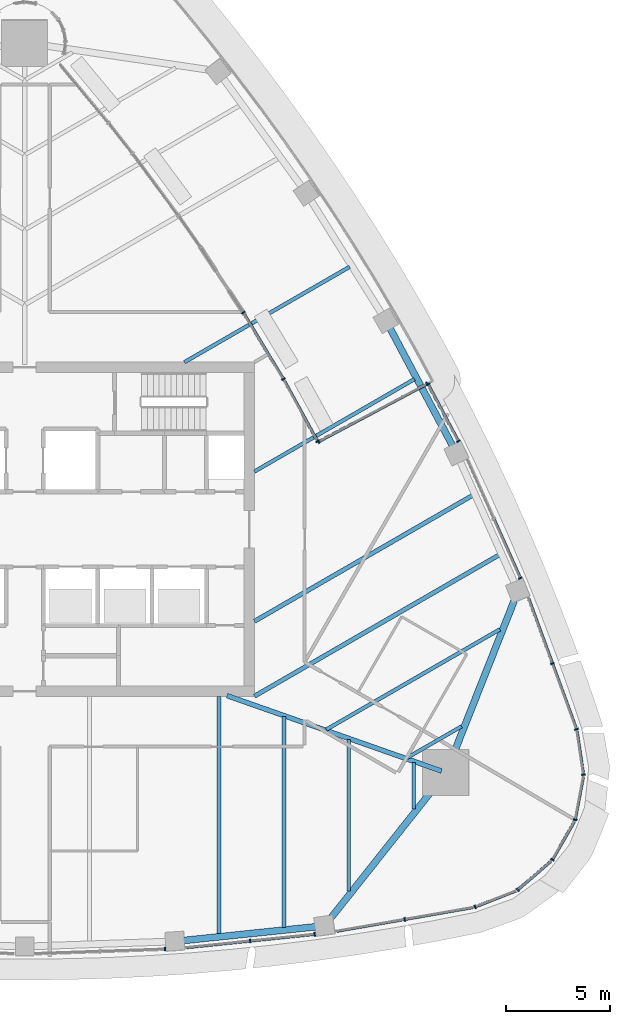
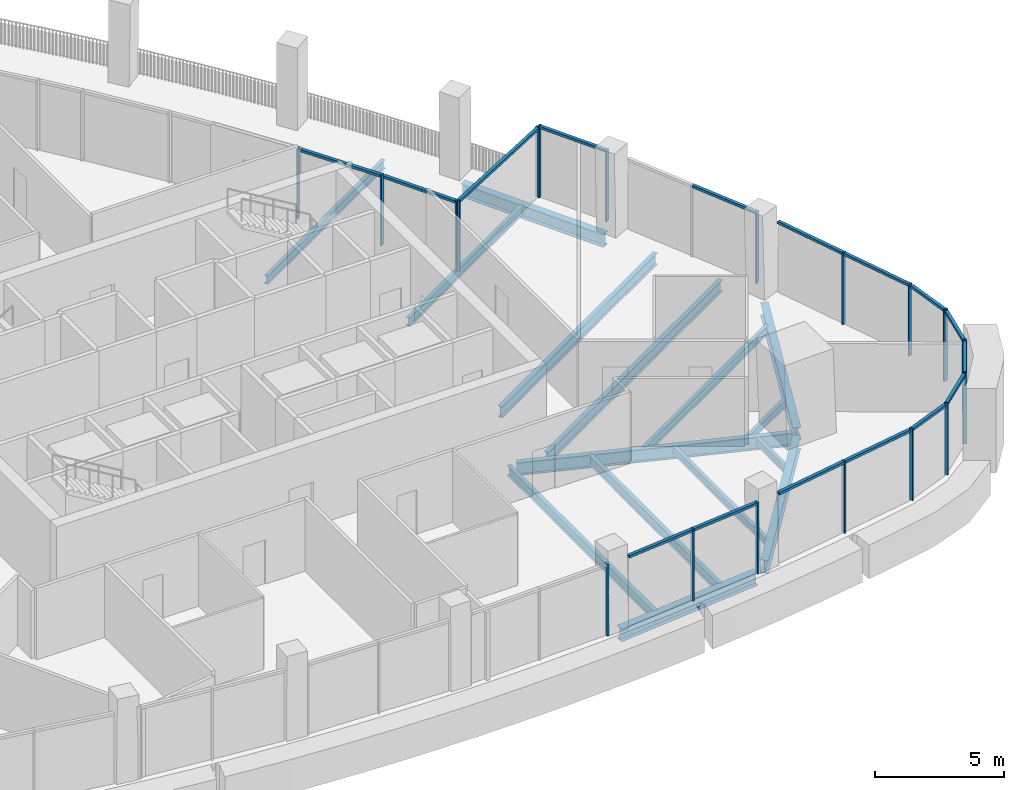
# One storey, part 4 of 18: 35 members, 15 beams, 15 elements without a shape of their own.
"""IFC4 building model written with IfcOpenShell, lengths in metres."""

import ifcopenshell
import ifcopenshell.guid

model = None  # the IFC model being written
_history = None  # IfcOwnerHistory: only IFC2X3 demands one
_inside = {}  # id of a spatial element -> (the spatial element, [elements in it])
_under = {}  # id of a project, library or spatial element -> (it, [spatial elements below it])
_declared = {}  # id of a project -> (the project, [libraries it declares])
_typed = {}  # id of a type object -> (the type object, [elements of that type])
_made_of = {}  # id of a material, layer set ... -> (it, [elements and type objects made of it])


def new_model(schema):
    """Start an empty IFC model of exactly this schema.

    Asked for "IFC4X3", IfcOpenShell would pick the latest addendum, in which some entities
    have other attributes; the version numbers below select the first issue.
    IFC2X3 requires an IfcOwnerHistory on every rooted entity: one is made here for all.
    """
    global model, _history
    if schema == "IFC4X3":
        model = ifcopenshell.file(schema_version=(4, 3, 0, 0))
    else:
        model = ifcopenshell.file(schema=schema)
    _inside.clear()
    _under.clear()
    _declared.clear()
    _typed.clear()
    _made_of.clear()
    _history = None
    if model.schema == "IFC2X3":
        org = make("IfcOrganization", Name="unknown")
        user = make(
            "IfcPersonAndOrganization",
            ThePerson=make("IfcPerson", FamilyName="unknown"),
            TheOrganization=org,
        )
        app = make(
            "IfcApplication",
            ApplicationDeveloper=org,
            Version="unknown",
            ApplicationFullName="unknown",
            ApplicationIdentifier="unknown",
        )
        _history = make(
            "IfcOwnerHistory",
            OwningUser=user,
            OwningApplication=app,
            ChangeAction="ADDED",
            CreationDate=0,
        )
    return model


def make(cls, **values):
    """One entity of the class cls with the attributes given. An attribute that is None is left unset."""
    return model.create_entity(
        cls, **{name: value for name, value in values.items() if value is not None}
    )


def rooted(cls, **values):
    """An entity with a GlobalId (a new one), such as an element, a storey or a relation."""
    return make(cls, GlobalId=ifcopenshell.guid.new(), OwnerHistory=_history, **values)


def si_unit(unit_type, name, prefix=None):
    """IfcSIUnit, for example si_unit("LENGTHUNIT", "METRE", prefix="MILLI")."""
    return make("IfcSIUnit", UnitType=unit_type, Prefix=prefix, Name=name)


def assignment(units):
    """IfcUnitAssignment: the units of a project."""
    return None if units is None else make("IfcUnitAssignment", Units=units)


def point(xyz):
    """IfcCartesianPoint."""
    return None if xyz is None else make("IfcCartesianPoint", Coordinates=xyz)


def direction(xyz):
    """IfcDirection."""
    return None if xyz is None else make("IfcDirection", DirectionRatios=xyz)


def frame(location, z_axis=None, x_axis=None):
    """IfcAxis2Placement3D, a coordinate frame: its origin and axes. An axis left out is left unset."""
    return make(
        "IfcAxis2Placement3D",
        Location=point(location),
        Axis=direction(z_axis),
        RefDirection=direction(x_axis),
    )


def frame_2d(location, x_axis=None):
    """IfcAxis2Placement2D, a coordinate frame in the plane: its origin and x axis."""
    return make(
        "IfcAxis2Placement2D", Location=point(location), RefDirection=direction(x_axis)
    )


def origin():
    """The frame at (0, 0, 0) with its axes left unset."""
    return frame((0.0, 0.0, 0.0))


def origin_2d():
    """The frame at (0, 0) in the plane with its x axis left unset."""
    return frame_2d((0.0, 0.0))


def place(relative_to, where):
    """IfcLocalPlacement: puts the frame where relative to a parent placement (None: the world)."""
    return make(
        "IfcLocalPlacement", PlacementRelTo=relative_to, RelativePlacement=where
    )


def context(
    kind, dimensions, precision=None, world=None, true_north=None, identifier=None
):
    """IfcGeometricRepresentationContext, for example the 3D "Model" context."""
    return make(
        "IfcGeometricRepresentationContext",
        ContextIdentifier=identifier,
        ContextType=kind,
        CoordinateSpaceDimension=dimensions,
        Precision=precision,
        WorldCoordinateSystem=world,
        TrueNorth=true_north,
    )


def subcontext(parent, identifier, kind, view, scale=None):
    """IfcGeometricRepresentationSubContext, for example "Body" below "Model"."""
    return make(
        "IfcGeometricRepresentationSubContext",
        ContextIdentifier=identifier,
        ContextType=kind,
        ParentContext=parent,
        TargetScale=scale,
        TargetView=view,
    )


def project(units=None, contexts=None):
    """IfcProject with its units and contexts."""
    return rooted(
        "IfcProject",
        Name="project",
        RepresentationContexts=contexts,
        UnitsInContext=assignment(units),
    )


def spatial(cls, under=None, at=None, **own):
    """A site, building, storey or space (cls), placed at a placement, below another one or the project."""
    s = rooted(cls, ObjectPlacement=at, **own)
    if under is not None:
        _under.setdefault(under.id(), (under, []))[1].append(s)
    return s


def profile(cls, at=None, kind="AREA", **sizes):
    """A parametric profile (cls). Its sizes go by their IFC names, for example OverallWidth=200.0."""
    return make(cls, ProfileType=kind, Position=at, **sizes)


def rectangle(**sizes):
    """IfcRectangleProfileDef."""
    return profile("IfcRectangleProfileDef", **sizes)


def i_section(**sizes):
    """IfcIShapeProfileDef."""
    return profile("IfcIShapeProfileDef", **sizes)


def extrude(swept, where, along, depth):
    """IfcExtrudedAreaSolid: the profile swept, set in the frame where, extruded along a direction by depth."""
    return make(
        "IfcExtrudedAreaSolid",
        SweptArea=swept,
        Position=where,
        ExtrudedDirection=direction(along),
        Depth=depth,
    )


def shape(context_of_items, identifier, shape_type, items):
    """IfcShapeRepresentation: the items that make up one representation, for example the "Body"."""
    return make(
        "IfcShapeRepresentation",
        ContextOfItems=context_of_items,
        RepresentationIdentifier=identifier,
        RepresentationType=shape_type,
        Items=items,
    )


def material(Name=None, Category=None):
    """IfcMaterial."""
    return make("IfcMaterial", Name=Name, Category=Category)


def layer(
    of_material, thickness, ventilated=None, Name=None, Category=None, Priority=None
):
    """IfcMaterialLayer: one layer of a wall or slab, of a material (None: an air gap)."""
    return make(
        "IfcMaterialLayer",
        Material=of_material,
        LayerThickness=thickness,
        IsVentilated=ventilated,
        Name=Name,
        Category=Category,
        Priority=Priority,
    )


def layer_set(layers, Name=None):
    """IfcMaterialLayerSet."""
    return make("IfcMaterialLayerSet", MaterialLayers=layers, LayerSetName=Name)


def material_profile(
    of_material, cross_section, Name=None, Category=None, Priority=None
):
    """IfcMaterialProfile: a cross section and its material."""
    return make(
        "IfcMaterialProfile",
        Name=Name,
        Material=of_material,
        Profile=cross_section,
        Priority=Priority,
        Category=Category,
    )


def profile_set(profiles, Name=None, composite=None):
    """IfcMaterialProfileSet."""
    return make(
        "IfcMaterialProfileSet",
        Name=Name,
        MaterialProfiles=profiles,
        CompositeProfile=composite,
    )


def made_of(thing, what):
    """Note that an element or type object is made of a material, layer set ...; save() writes the relation."""
    if what is not None:
        _made_of.setdefault(what.id(), (what, []))[1].append(thing)
    return thing


def type_object(cls, material=None, **own):
    """A type object (cls), such as IfcWallType, which elements share."""
    return made_of(rooted(cls, **own), material)


def element(
    cls,
    number,
    at=None,
    inside=None,
    cuts=None,
    type_object=None,
    material=None,
    context=None,
    identifier="Body",
    shape_type=None,
    held_by="IfcProductDefinitionShape",
    body=None,
    shapes=None,
    **own,
):
    """One element of the class cls, such as IfcWall. Its Tag is "e" and its number.

    at: its placement. inside: the storey or other place that contains it. cuts: it is an
    opening in that element (IfcRelVoidsElement). A single representation is given by context,
    identifier, shape_type and body (its items); several are given by shapes. held_by: the class
    of the entity that holds the representations. save() writes the other relations.
    """
    e = rooted(cls, Tag="e%d" % number, ObjectPlacement=at, **own)
    if body is not None:
        shapes = [shape(context, identifier, shape_type, body)]
    if shapes is not None:
        e.Representation = make(held_by, Representations=shapes)
    if inside is not None:
        _inside.setdefault(inside.id(), (inside, []))[1].append(e)
    if cuts is not None:
        rooted(
            "IfcRelVoidsElement", RelatingBuildingElement=cuts, RelatedOpeningElement=e
        )
    if type_object is not None:
        _typed.setdefault(type_object.id(), (type_object, []))[1].append(e)
    return made_of(e, material)


def aggregate(whole, parts):
    """IfcRelAggregates: a whole, such as a stair, and the parts it consists of."""
    return rooted("IfcRelAggregates", RelatingObject=whole, RelatedObjects=parts)


def save(model, path):
    """Write the relations noted so far, then the file.

    IfcRelAggregates (storeys below a building ...), IfcRelContainedInSpatialStructure (elements
    in a storey), IfcRelDefinesByType, IfcRelAssociatesMaterial and IfcRelDeclares: one each for
    every whole, place, type object, material and project.
    """
    for whole, parts in _under.values():
        aggregate(whole, parts)
    for where, things in _inside.values():
        rooted(
            "IfcRelContainedInSpatialStructure",
            RelatedElements=things,
            RelatingStructure=where,
        )
    for kind, things in _typed.values():
        rooted("IfcRelDefinesByType", RelatedObjects=things, RelatingType=kind)
    for what, things in _made_of.values():
        rooted("IfcRelAssociatesMaterial", RelatedObjects=things, RelatingMaterial=what)
    for by, libraries in _declared.values():
        rooted("IfcRelDeclares", RelatingContext=by, RelatedDefinitions=libraries)
    model.write(path)


model = new_model("IFC4")

# Units and contexts
model_context = context("Model", 3, precision=1e-05, world=origin(), true_north=direction((0.0, 1.0)))
body_context = subcontext(model_context, "Body", "Model", "MODEL_VIEW")
ifc_project = project(units=[si_unit("LENGTHUNIT", "METRE"), si_unit("AREAUNIT", "SQUARE_METRE"), si_unit("VOLUMEUNIT", "CUBIC_METRE"), si_unit("PLANEANGLEUNIT", "RADIAN"), si_unit("MASSUNIT", "GRAM", prefix="KILO")], contexts=[model_context])

# Site, building, storey
site_placement = place(None, origin())
site = spatial("IfcSite", under=ifc_project, at=site_placement, CompositionType="ELEMENT")
building_placement = place(site_placement, origin())
building = spatial("IfcBuilding", under=site, at=building_placement, Name="Sierra Prisma Convention Tower", CompositionType="ELEMENT")
storey_placement = place(building_placement, frame((0.0, 0.0, 307.0)))
storey = spatial("IfcBuildingStorey", under=building, at=storey_placement, Name="L70", CompositionType="ELEMENT", Elevation=307.0)

# Curtain wall, member
ifc_material_1 = material(Name="Aluminium and glass curtain wall", Category="aluminium")
ifc_layer_1 = layer(ifc_material_1, 0.179931640625)
ifc_layer_set_1 = layer_set([ifc_layer_1], Name="CW-1 Plain shaft curtain wall")
curtain_wall_type_1 = type_object("IfcCurtainWallType", Name="CW-1 Plain shaft curtain wall", PredefinedType="NOTDEFINED", material=ifc_layer_set_1)
curtain_wall_1_placement = place(storey_placement, origin())
curtain_wall_1 = element("IfcCurtainWall", 1, at=curtain_wall_1_placement, inside=storey, type_object=curtain_wall_type_1, Name="CW-1 S4 L70", PredefinedType="NOTDEFINED")
ifc_material_2 = material(Name="Aluminium 6063-T6 bronze anodised", Category="aluminium")
ifc_material_profile_1 = material_profile(ifc_material_2, rectangle(XDim=0.179931640625, YDim=0.070068359375, at=origin_2d()), Name="ALU MULLION 70x180")
ifc_profile_set_1 = profile_set([ifc_material_profile_1], Name="Aluminium 6063-T6 bronze anodised")
member_type_1 = type_object("IfcMemberType", Name="CW mullion bronze", PredefinedType="MULLION", material=ifc_profile_set_1)
member_1_placement = place(storey_placement, frame((6.725830078125, -20.09228515625, 0.0), z_axis=(0.0, 0.0, 1.0), x_axis=(-0.034490556636, 0.999405023753, 0.0)))
member_1 = element("IfcMember", 2, at=member_1_placement, type_object=member_type_1, Name="CW-1 mullion S4.3", PredefinedType="MULLION", context=body_context, shape_type="SweptSolid", body=[
    extrude(rectangle(XDim=0.179931640625, YDim=0.070068359375, at=origin_2d()), origin(), (0.0, 0.0, 1.0), 3.39990234375),
])
aggregate(curtain_wall_1, [member_1])

# Curtain wall, members
curtain_wall_2_placement = place(storey_placement, origin())
curtain_wall_2 = element("IfcCurtainWall", 3, at=curtain_wall_2_placement, inside=storey, type_object=curtain_wall_type_1, Name="CW-1 S5 L70", PredefinedType="NOTDEFINED")
member_2_placement = place(storey_placement, frame((10.794921875, -19.7041015625, 0.0), z_axis=(0.0, 0.0, 1.0), x_axis=(-0.103307550233, 0.994649460898, 0.0)))
member_2 = element("IfcMember", 4, at=member_2_placement, type_object=member_type_1, Name="CW-1 mullion S5.2", PredefinedType="MULLION", context=body_context, shape_type="SweptSolid", body=[
    extrude(rectangle(XDim=0.179931640625, YDim=0.070068359375, at=origin_2d()), origin(), (0.0, 0.0, 1.0), 3.39990234375),
])
member_3_placement = place(storey_placement, frame((13.884765625, -19.383056640625, 0.0), z_axis=(0.0, 0.0, 1.0), x_axis=(-0.103307550233, 0.994649460898, 0.0)))
member_3 = element("IfcMember", 5, at=member_3_placement, type_object=member_type_1, Name="CW-1 mullion S5.3", PredefinedType="MULLION", context=body_context, shape_type="SweptSolid", body=[
    extrude(rectangle(XDim=0.179931640625, YDim=0.070068359375, at=origin_2d()), origin(), (0.0, 0.0, 1.0), 3.39990234375),
])

# Curtain wall, member
curtain_wall_3_placement = place(storey_placement, origin())
curtain_wall_3 = element("IfcCurtainWall", 6, at=curtain_wall_3_placement, inside=storey, type_object=curtain_wall_type_1, Name="CW-1 S6 L70", PredefinedType="NOTDEFINED")
member_4_placement = place(storey_placement, frame((18.192138671875, -18.669677734375, 0.0), z_axis=(0.0, 0.0, 1.0), x_axis=(-0.171632965804, 0.98516096403, 0.0)))
member_4 = element("IfcMember", 7, at=member_4_placement, type_object=member_type_1, Name="CW-1 mullion S6.2", PredefinedType="MULLION", context=body_context, shape_type="SweptSolid", body=[
    extrude(rectangle(XDim=0.179931640625, YDim=0.070068359375, at=origin_2d()), origin(), (0.0, 0.0, 1.0), 3.39990234375),
])

curtain_wall_4_placement = place(storey_placement, origin())
curtain_wall_4 = element("IfcCurtainWall", 8, at=curtain_wall_4_placement, inside=storey, type_object=curtain_wall_type_1, Name="CW-1 SE1 L70", PredefinedType="NOTDEFINED")
member_5_placement = place(storey_placement, frame((21.562744140625, -18.0751953125, 0.0), z_axis=(0.0, 0.0, 1.0), x_axis=(-0.366297674592, 0.930497723581, 0.0)))
member_5 = element("IfcMember", 9, at=member_5_placement, type_object=member_type_1, Name="CW-1 mullion SE1.1", PredefinedType="MULLION", context=body_context, shape_type="SweptSolid", body=[
    extrude(rectangle(XDim=0.179931640625, YDim=0.070068359375, at=origin_2d()), origin(), (0.0, 0.0, 1.0), 3.39990234375),
])

curtain_wall_5_placement = place(storey_placement, origin())
curtain_wall_5 = element("IfcCurtainWall", 10, at=curtain_wall_5_placement, inside=storey, type_object=curtain_wall_type_1, Name="CW-1 SE2 L70", PredefinedType="NOTDEFINED")
member_6_placement = place(storey_placement, frame((23.6044921875, -17.25927734375, 0.0), z_axis=(0.0, 0.0, 1.0), x_axis=(-0.652676883976, 0.757636380544, 0.0)))
member_6 = element("IfcMember", 11, at=member_6_placement, type_object=member_type_1, Name="CW-1 mullion SE2.1", PredefinedType="MULLION", context=body_context, shape_type="SweptSolid", body=[
    extrude(rectangle(XDim=0.179931640625, YDim=0.070068359375, at=origin_2d()), origin(), (0.0, 0.0, 1.0), 3.39990234375),
])

curtain_wall_6_placement = place(storey_placement, origin())
curtain_wall_6 = element("IfcCurtainWall", 12, at=curtain_wall_6_placement, inside=storey, type_object=curtain_wall_type_1, Name="CW-1 SE3 L70", PredefinedType="NOTDEFINED")
member_7_placement = place(storey_placement, frame((25.2626953125, -15.8154296875, 0.0), z_axis=(0.0, 0.0, 1.0), x_axis=(-0.866025403784, 0.5, 0.0)))
member_7 = element("IfcMember", 13, at=member_7_placement, type_object=member_type_1, Name="CW-1 mullion SE3.1", PredefinedType="MULLION", context=body_context, shape_type="SweptSolid", body=[
    extrude(rectangle(XDim=0.179931640625, YDim=0.070068359375, at=origin_2d()), origin(), (0.0, 0.0, 1.0), 3.39990234375),
])

curtain_wall_7_placement = place(storey_placement, origin())
curtain_wall_7 = element("IfcCurtainWall", 14, at=curtain_wall_7_placement, inside=storey, type_object=curtain_wall_type_1, Name="CW-1 SE4 L70", PredefinedType="NOTDEFINED")
member_8_placement = place(storey_placement, frame((26.351806640625, -13.905517578125, 0.0), z_axis=(0.0, 0.0, 1.0), x_axis=(-0.98247079437, 0.186416571714, 0.0)))
member_8 = element("IfcMember", 15, at=member_8_placement, type_object=member_type_1, Name="CW-1 mullion SE4.1", PredefinedType="MULLION", context=body_context, shape_type="SweptSolid", body=[
    extrude(rectangle(XDim=0.179931640625, YDim=0.070068359375, at=origin_2d()), origin(), (0.0, 0.0, 1.0), 3.39990234375),
])

curtain_wall_8_placement = place(storey_placement, origin())
curtain_wall_8 = element("IfcCurtainWall", 16, at=curtain_wall_8_placement, inside=storey, type_object=curtain_wall_type_1, Name="CW-1 SE5 L70", PredefinedType="NOTDEFINED")
member_9_placement = place(storey_placement, frame((26.75048828125, -11.743408203125, 0.0), z_axis=(0.0, 0.0, 1.0), x_axis=(-0.98898350408, -0.148025770247, 0.0)))
member_9 = element("IfcMember", 17, at=member_9_placement, type_object=member_type_1, Name="CW-1 mullion SE5.1", PredefinedType="MULLION", context=body_context, shape_type="SweptSolid", body=[
    extrude(rectangle(XDim=0.179931640625, YDim=0.070068359375, at=origin_2d()), origin(), (0.0, 0.0, 1.0), 3.39990234375),
])

# Curtain wall, members
curtain_wall_9_placement = place(storey_placement, origin())
curtain_wall_9 = element("IfcCurtainWall", 18, at=curtain_wall_9_placement, inside=storey, type_object=curtain_wall_type_1, Name="CW-1 NE1 L70", PredefinedType="NOTDEFINED")
member_10_placement = place(storey_placement, frame((26.417724609375, -9.56884765625, 0.0), z_axis=(0.0, 0.0, 1.0), x_axis=(-0.938990904569, -0.343941973502, 0.0)))
member_10 = element("IfcMember", 19, at=member_10_placement, type_object=member_type_1, Name="CW-1 mullion NE1.1", PredefinedType="MULLION", context=body_context, shape_type="SweptSolid", body=[
    extrude(rectangle(XDim=0.179931640625, YDim=0.070068359375, at=origin_2d()), origin(), (0.0, 0.0, 1.0), 3.39990234375),
])
member_11_placement = place(storey_placement, frame((25.264404296875, -6.419921875, 0.0), z_axis=(0.0, 0.0, 1.0), x_axis=(-0.938990904569, -0.343941973502, 0.0)))
member_11 = element("IfcMember", 20, at=member_11_placement, type_object=member_type_1, Name="CW-1 mullion NE1.2", PredefinedType="MULLION", context=body_context, shape_type="SweptSolid", body=[
    extrude(rectangle(XDim=0.179931640625, YDim=0.070068359375, at=origin_2d()), origin(), (0.0, 0.0, 1.0), 3.39990234375),
])

# Curtain wall, member
curtain_wall_10_placement = place(storey_placement, origin())
curtain_wall_10 = element("IfcCurtainWall", 21, at=curtain_wall_10_placement, inside=storey, type_object=curtain_wall_type_1, Name="CW-1 NE2 L70", PredefinedType="NOTDEFINED")
member_12_placement = place(storey_placement, frame((23.728759765625, -2.333251953125, 0.0), z_axis=(0.0, 0.0, 1.0), x_axis=(-0.913045476115, -0.407857767545, 0.0)))
member_12 = element("IfcMember", 22, at=member_12_placement, type_object=member_type_1, Name="CW-1 mullion NE2.1", PredefinedType="MULLION", context=body_context, shape_type="SweptSolid", body=[
    extrude(rectangle(XDim=0.179931640625, YDim=0.070068359375, at=origin_2d()), origin(), (0.0, 0.0, 1.0), 3.39990234375),
])

# Curtain wall, members
curtain_wall_11_placement = place(storey_placement, origin())
curtain_wall_11 = element("IfcCurtainWall", 23, at=curtain_wall_11_placement, inside=storey, type_object=curtain_wall_type_1, Name="CW-1 NE3 L70", PredefinedType="NOTDEFINED")
member_13_placement = place(storey_placement, frame((20.76318359375, 4.22119140625, 0.0), z_axis=(0.0, 0.0, 1.0), x_axis=(-0.882755417558, -0.469832813639, 0.0)))
member_13 = element("IfcMember", 24, at=member_13_placement, type_object=member_type_1, Name="CW-1 mullion NE3.1", PredefinedType="MULLION", context=body_context, shape_type="SweptSolid", body=[
    extrude(rectangle(XDim=0.179931640625, YDim=0.070068359375, at=origin_2d()), origin(), (0.0, 0.0, 1.0), 3.39990234375),
])
member_14_placement = place(storey_placement, frame((19.312744140625, 6.94677734375, 0.0), z_axis=(0.0, 0.0, 1.0), x_axis=(-0.882755417558, -0.469832813639, 0.0)))
member_14 = element("IfcMember", 25, at=member_14_placement, type_object=member_type_1, Name="CW-1 mullion NE3.2", PredefinedType="MULLION", context=body_context, shape_type="SweptSolid", body=[
    extrude(rectangle(XDim=0.179931640625, YDim=0.070068359375, at=origin_2d()), origin(), (0.0, 0.0, 1.0), 3.39990234375),
])

# Curtain wall, member
ifc_material_3 = material(Name="Aluminium and glass curtain wall", Category="aluminium")
ifc_layer_2 = layer(ifc_material_3, 0.179931640625)
ifc_layer_set_2 = layer_set([ifc_layer_2], Name="CW-6 Terrace recess curtain wall")
curtain_wall_type_2 = type_object("IfcCurtainWallType", Name="CW-6 Terrace recess curtain wall", PredefinedType="NOTDEFINED", material=ifc_layer_set_2)
curtain_wall_12_placement = place(storey_placement, origin())
curtain_wall_12 = element("IfcCurtainWall", 26, at=curtain_wall_12_placement, inside=storey, type_object=curtain_wall_type_2, Name="CW-6 R1 L70", PredefinedType="NOTDEFINED")
member_15_placement = place(storey_placement, frame((14.022705078125, 4.21044921875, 0.0), z_axis=(0.0, 0.0, 1.0), x_axis=(-0.876916274991, -0.480643159377, 0.0)))
member_15 = element("IfcMember", 27, at=member_15_placement, type_object=member_type_1, Name="CW-6 mullion R1.1", PredefinedType="MULLION", context=body_context, shape_type="SweptSolid", body=[
    extrude(rectangle(XDim=0.179931640625, YDim=0.070068359375, at=origin_2d()), origin(), (0.0, 0.0, 1.0), 3.340087890625),
])

curtain_wall_13_placement = place(storey_placement, origin())
curtain_wall_13 = element("IfcCurtainWall", 28, at=curtain_wall_13_placement, inside=storey, type_object=curtain_wall_type_2, Name="CW-6 R2 L70", PredefinedType="NOTDEFINED")
member_16_placement = place(storey_placement, frame((12.386962890625, 7.19189453125, 0.0), z_axis=(0.0, 0.0, 1.0), x_axis=(-0.856464265012, -0.516206318013, 0.0)))
member_16 = element("IfcMember", 29, at=member_16_placement, type_object=member_type_1, Name="CW-6 mullion R2.1", PredefinedType="MULLION", context=body_context, shape_type="SweptSolid", body=[
    extrude(rectangle(XDim=0.179931640625, YDim=0.070068359375, at=origin_2d()), origin(), (0.0, 0.0, 1.0), 3.340087890625),
])

curtain_wall_14_placement = place(storey_placement, origin())
curtain_wall_14 = element("IfcCurtainWall", 30, at=curtain_wall_14_placement, inside=storey, type_object=curtain_wall_type_2, Name="CW-6 R3 L70", PredefinedType="NOTDEFINED")
member_17_placement = place(storey_placement, frame((10.46728515625, 10.37451171875, 0.0), z_axis=(0.0, 0.0, 1.0), x_axis=(-0.836435760535, -0.54806497653, 0.0)))
member_17 = element("IfcMember", 31, at=member_17_placement, type_object=member_type_1, Name="CW-6 mullion R3.1", PredefinedType="MULLION", context=body_context, shape_type="SweptSolid", body=[
    extrude(rectangle(XDim=0.179931640625, YDim=0.070068359375, at=origin_2d()), origin(), (0.0, 0.0, 1.0), 3.340087890625),
])
aggregate(curtain_wall_14, [member_17])

# Curtain wall, members
curtain_wall_15_placement = place(storey_placement, origin())
curtain_wall_15 = element("IfcCurtainWall", 32, at=curtain_wall_15_placement, inside=storey, type_object=curtain_wall_type_2, Name="CW-6 RT1 L70", PredefinedType="NOTDEFINED")
member_18_placement = place(storey_placement, frame((19.265380859375, 6.961181640625, 0.0), z_axis=(0.0, 0.0, 1.0), x_axis=(0.469832813639, -0.882755417558, 0.0)))
member_18 = element("IfcMember", 33, at=member_18_placement, type_object=member_type_1, Name="CW-6 mullion RT1.1", PredefinedType="MULLION", context=body_context, shape_type="SweptSolid", body=[
    extrude(rectangle(XDim=0.179931640625, YDim=0.070068359375, at=origin_2d()), origin(), (0.0, 0.0, 1.0), 3.340087890625),
])
member_19_placement = place(storey_placement, frame((14.0703125, 4.1962890625, 0.0), z_axis=(0.0, 0.0, 1.0), x_axis=(0.469832813639, -0.882755417558, 0.0)))
member_19 = element("IfcMember", 34, at=member_19_placement, type_object=member_type_1, Name="CW-6 mullion RT1.2", PredefinedType="MULLION", context=body_context, shape_type="SweptSolid", body=[
    extrude(rectangle(XDim=0.179931640625, YDim=0.070068359375, at=origin_2d()), origin(), (0.0, 0.0, 1.0), 3.340087890625),
])

# Member
ifc_material_4 = material(Name="Aluminium 6063-T6 bronze anodised", Category="aluminium")
ifc_material_profile_2 = material_profile(ifc_material_4, rectangle(XDim=0.139892578125, YDim=0.1201171875, at=origin_2d()), Name="ALU TRANSOM 120x140")
ifc_profile_set_2 = profile_set([ifc_material_profile_2], Name="Aluminium 6063-T6 bronze anodised")
member_type_2 = type_object("IfcMemberType", Name="CW transom bronze", PredefinedType="USERDEFINED", material=ifc_profile_set_2)
member_20_placement = place(storey_placement, frame((7.73974609375, -20.021240234375, 3.340087890625), z_axis=(0.994648573327, 0.103316095443, 0.0), x_axis=(-0.103316095443, 0.994648573327, 0.0)))
member_20 = element("IfcMember", 35, at=member_20_placement, type_object=member_type_2, Name="CW-1 transom S5.1", ObjectType="TRANSOM", PredefinedType="USERDEFINED", context=body_context, shape_type="SweptSolid", body=[
    extrude(rectangle(XDim=0.139892578125, YDim=0.1201171875, at=origin_2d()), origin(), (0.0, 0.0, 1.0), 3.03662109375),
])

member_21_placement = place(storey_placement, frame((10.82958984375, -19.700439453125, 3.340087890625), z_axis=(0.994649431449, 0.103307833771, 0.0), x_axis=(-0.103307833771, 0.994649431449, 0.0)))
member_21 = element("IfcMember", 36, at=member_21_placement, type_object=member_type_2, Name="CW-1 transom S5.2", ObjectType="TRANSOM", PredefinedType="USERDEFINED", context=body_context, shape_type="SweptSolid", body=[
    extrude(rectangle(XDim=0.139892578125, YDim=0.1201171875, at=origin_2d()), origin(), (0.0, 0.0, 1.0), 3.036865234375),
])

aggregate(curtain_wall_2, [member_2, member_3, member_20, member_21])

member_22_placement = place(storey_placement, frame((14.9228515625, -19.2392578125, 3.340087890625), z_axis=(0.985153308052, 0.171676904777, 0.0), x_axis=(-0.171676904777, 0.985153308052, 0.0)))
member_22 = element("IfcMember", 37, at=member_22_placement, type_object=member_type_2, Name="CW-1 transom S6.1", ObjectType="TRANSOM", PredefinedType="USERDEFINED", context=body_context, shape_type="SweptSolid", body=[
    extrude(rectangle(XDim=0.139892578125, YDim=0.1201171875, at=origin_2d()), origin(), (0.0, 0.0, 1.0), 3.28369140625),
])

member_23_placement = place(storey_placement, frame((18.2265625, -18.66357421875, 3.340087890625), z_axis=(0.985163690667, 0.171617314368, 0.0), x_axis=(-0.171617314368, 0.985163690667, 0.0)))
member_23 = element("IfcMember", 38, at=member_23_placement, type_object=member_type_2, Name="CW-1 transom S6.2", ObjectType="TRANSOM", PredefinedType="USERDEFINED", context=body_context, shape_type="SweptSolid", body=[
    extrude(rectangle(XDim=0.139892578125, YDim=0.1201171875, at=origin_2d()), origin(), (0.0, 0.0, 1.0), 3.283447265625),
])

aggregate(curtain_wall_3, [member_4, member_22, member_23])

member_24_placement = place(storey_placement, frame((21.595458984375, -18.0625, 3.340087890625), z_axis=(0.930473272584, 0.366359780826, 0.0), x_axis=(-0.366359780826, 0.930473272584, 0.0)))
member_24 = element("IfcMember", 39, at=member_24_placement, type_object=member_type_2, Name="CW-1 transom SE1.1", ObjectType="TRANSOM", PredefinedType="USERDEFINED", context=body_context, shape_type="SweptSolid", body=[
    extrude(rectangle(XDim=0.139892578125, YDim=0.1201171875, at=origin_2d()), origin(), (0.0, 0.0, 1.0), 2.060546875),
])

aggregate(curtain_wall_4, [member_5, member_24])

member_25_placement = place(storey_placement, frame((23.630859375, -17.236328125, 3.340087890625), z_axis=(0.757640235391, 0.65267240919, 0.0), x_axis=(-0.65267240919, 0.757640235391, 0.0)))
member_25 = element("IfcMember", 40, at=member_25_placement, type_object=member_type_2, Name="CW-1 transom SE2.1", ObjectType="TRANSOM", PredefinedType="USERDEFINED", context=body_context, shape_type="SweptSolid", body=[
    extrude(rectangle(XDim=0.139892578125, YDim=0.1201171875, at=origin_2d()), origin(), (0.0, 0.0, 1.0), 2.060791015625),
])

aggregate(curtain_wall_5, [member_6, member_25])

member_26_placement = place(storey_placement, frame((25.280029296875, -15.78515625, 3.340087890625), z_axis=(0.500013052638, 0.866017867709, 0.0), x_axis=(-0.866017867709, 0.500013052638, 0.0)))
member_26 = element("IfcMember", 41, at=member_26_placement, type_object=member_type_2, Name="CW-1 transom SE3.1", ObjectType="TRANSOM", PredefinedType="USERDEFINED", context=body_context, shape_type="SweptSolid", body=[
    extrude(rectangle(XDim=0.139892578125, YDim=0.1201171875, at=origin_2d()), origin(), (0.0, 0.0, 1.0), 2.060546875),
])

aggregate(curtain_wall_6, [member_7, member_26])

member_27_placement = place(storey_placement, frame((26.3583984375, -13.871337890625, 3.340087890625), z_axis=(0.186355339691, 0.982482410717, 0.0), x_axis=(-0.982482410717, 0.186355339691, 0.0)))
member_27 = element("IfcMember", 42, at=member_27_placement, type_object=member_type_2, Name="CW-1 transom SE4.1", ObjectType="TRANSOM", PredefinedType="USERDEFINED", context=body_context, shape_type="SweptSolid", body=[
    extrude(rectangle(XDim=0.139892578125, YDim=0.1201171875, at=origin_2d()), origin(), (0.0, 0.0, 1.0), 2.060791015625),
])

aggregate(curtain_wall_7, [member_8, member_27])

member_28_placement = place(storey_placement, frame((26.7451171875, -11.708740234375, 3.340087890625), z_axis=(-0.147987018102, 0.988989303518, 0.0), x_axis=(-0.988989303518, -0.147987018102, 0.0)))
member_28 = element("IfcMember", 43, at=member_28_placement, type_object=member_type_2, Name="CW-1 transom SE5.1", ObjectType="TRANSOM", PredefinedType="USERDEFINED", context=body_context, shape_type="SweptSolid", body=[
    extrude(rectangle(XDim=0.139892578125, YDim=0.1201171875, at=origin_2d()), origin(), (0.0, 0.0, 1.0), 2.060546875),
])

aggregate(curtain_wall_8, [member_9, member_28])

member_29_placement = place(storey_placement, frame((26.40576171875, -9.535888671875, 3.340087890625), z_axis=(-0.343974976237, 0.938978815375, 0.0), x_axis=(-0.938978815375, -0.343974976237, 0.0)))
member_29 = element("IfcMember", 44, at=member_29_placement, type_object=member_type_2, Name="CW-1 transom NE1.1", ObjectType="TRANSOM", PredefinedType="USERDEFINED", context=body_context, shape_type="SweptSolid", body=[
    extrude(rectangle(XDim=0.139892578125, YDim=0.1201171875, at=origin_2d()), origin(), (0.0, 0.0, 1.0), 3.283447265625),
])

member_30_placement = place(storey_placement, frame((25.25244140625, -6.38720703125, 3.340087890625), z_axis=(-0.343950961625, 0.93898761227, 0.0), x_axis=(-0.93898761227, -0.343950961625, 0.0)))
member_30 = element("IfcMember", 45, at=member_30_placement, type_object=member_type_2, Name="CW-1 transom NE1.2", ObjectType="TRANSOM", PredefinedType="USERDEFINED", context=body_context, shape_type="SweptSolid", body=[
    extrude(rectangle(XDim=0.139892578125, YDim=0.1201171875, at=origin_2d()), origin(), (0.0, 0.0, 1.0), 3.28369140625),
])

aggregate(curtain_wall_9, [member_10, member_11, member_29, member_30])

member_31_placement = place(storey_placement, frame((23.71435546875, -2.30126953125, 3.340087890625), z_axis=(-0.407875891828, 0.913037379775, 0.0), x_axis=(-0.913037379775, -0.407875891828, 0.0)))
member_31 = element("IfcMember", 46, at=member_31_placement, type_object=member_type_2, Name="CW-1 transom NE2.1", ObjectType="TRANSOM", PredefinedType="USERDEFINED", context=body_context, shape_type="SweptSolid", body=[
    extrude(rectangle(XDim=0.139892578125, YDim=0.1201171875, at=origin_2d()), origin(), (0.0, 0.0, 1.0), 3.03662109375),
])

aggregate(curtain_wall_10, [member_12, member_31])

member_32_placement = place(storey_placement, frame((20.746826171875, 4.252197265625, 3.340087890625), z_axis=(-0.469853149159, 0.882744593994, 0.0), x_axis=(-0.882744593994, -0.469853149159, 0.0)))
member_32 = element("IfcMember", 47, at=member_32_placement, type_object=member_type_2, Name="CW-1 transom NE3.1", ObjectType="TRANSOM", PredefinedType="USERDEFINED", context=body_context, shape_type="SweptSolid", body=[
    extrude(rectangle(XDim=0.139892578125, YDim=0.1201171875, at=origin_2d()), origin(), (0.0, 0.0, 1.0), 3.017333984375),
])

aggregate(curtain_wall_11, [member_13, member_14, member_32])

member_33_placement = place(storey_placement, frame((14.005859375, 4.2412109375, 3.280029296875), z_axis=(-0.480619055033, 0.876929486298, 0.0), x_axis=(-0.876929486298, -0.480619055033, 0.0)))
member_33 = element("IfcMember", 48, at=member_33_placement, type_object=member_type_2, Name="CW-6 transom R1.1", ObjectType="TRANSOM", PredefinedType="USERDEFINED", context=body_context, shape_type="SweptSolid", body=[
    extrude(rectangle(XDim=0.139892578125, YDim=0.1201171875, at=origin_2d()), origin(), (0.0, 0.0, 1.0), 3.2607421875),
])

aggregate(curtain_wall_12, [member_15, member_33])

member_34_placement = place(storey_placement, frame((12.368896484375, 7.221923828125, 3.280029296875), z_axis=(-0.516241310377, 0.856443173515, 0.0), x_axis=(-0.856443173515, -0.516241310377, 0.0)))
member_34 = element("IfcMember", 49, at=member_34_placement, type_object=member_type_2, Name="CW-6 transom R2.1", ObjectType="TRANSOM", PredefinedType="USERDEFINED", context=body_context, shape_type="SweptSolid", body=[
    extrude(rectangle(XDim=0.139892578125, YDim=0.1201171875, at=origin_2d()), origin(), (0.0, 0.0, 1.0), 3.57666015625),
])

aggregate(curtain_wall_13, [member_16, member_34])

member_35_placement = place(storey_placement, frame((19.234375, 6.94482421875, 3.280029296875), z_axis=(-0.882741984296, -0.469858052141, 0.0), x_axis=(0.469858052141, -0.882741984296, 0.0)))
member_35 = element("IfcMember", 50, at=member_35_placement, type_object=member_type_2, Name="CW-6 transom RT1.1", ObjectType="TRANSOM", PredefinedType="USERDEFINED", context=body_context, shape_type="SweptSolid", body=[
    extrude(rectangle(XDim=0.139892578125, YDim=0.1201171875, at=origin_2d()), origin(), (0.0, 0.0, 1.0), 5.81494140625),
])

aggregate(curtain_wall_15, [member_18, member_19, member_35])

# Beams
ifc_material_5 = material(Name="Steel ASTM A992 Gr 50", Category="steel")
ifc_material_profile_3 = material_profile(ifc_material_5, i_section(OverallWidth=0.172119140625, OverallDepth=0.35791015625, WebThickness=0.0078125, FlangeThickness=0.01318359375, at=origin_2d()), Name="W360x57")
ifc_profile_set_3 = profile_set([ifc_material_profile_3], Name="Steel ASTM A992 Gr 50")
beam_type_1 = type_object("IfcBeamType", Name="Floor joist W360x57", PredefinedType="JOIST", material=ifc_profile_set_3)
beam_1_placement = place(storey_placement, frame((15.521728515625, -17.308837890625, -0.3291015625), z_axis=(0.0, 1.0, 0.0), x_axis=(-1.0, 0.0, 0.0)))
element("IfcBeam", 51, at=beam_1_placement, inside=storey, type_object=beam_type_1, Name="Floor joist L70 S12", PredefinedType="JOIST", context=body_context, shape_type="SweptSolid", body=[
    extrude(i_section(OverallWidth=0.172119140625, OverallDepth=0.35791015625, WebThickness=0.0078125, FlangeThickness=0.01318359375, at=origin_2d()), origin(), (0.0, 0.0, 1.0), 7.247802734375),
])
beam_2_placement = place(storey_placement, frame((18.626220703125, -13.395263671875, -0.3291015625), z_axis=(0.0, 1.0, 0.0), x_axis=(-1.0, 0.0, 0.0)))
element("IfcBeam", 52, at=beam_2_placement, inside=storey, type_object=beam_type_1, Name="Floor joist L70 S13", PredefinedType="JOIST", context=body_context, shape_type="SweptSolid", body=[
    extrude(i_section(OverallWidth=0.172119140625, OverallDepth=0.35791015625, WebThickness=0.0078125, FlangeThickness=0.01318359375, at=origin_2d()), origin(), (0.0, 0.0, 1.0), 2.242431640625),
])
beam_3_placement = place(storey_placement, frame((20.91357421875, -9.43310546875, -0.3291015625), z_axis=(-0.86602787586, -0.499995718215, 0.0), x_axis=(0.499995718215, -0.86602787586, 0.0)))
element("IfcBeam", 53, at=beam_3_placement, inside=storey, type_object=beam_type_1, Name="Floor joist L70 NE01", PredefinedType="JOIST", context=body_context, shape_type="SweptSolid", body=[
    extrude(i_section(OverallWidth=0.172119140625, OverallDepth=0.35791015625, WebThickness=0.0078125, FlangeThickness=0.01318359375, at=origin_2d()), origin(), (0.0, 0.0, 1.0), 3.01611328125),
])
ifc_material_6 = material(Name="Steel ASTM A992 Gr 50", Category="steel")
ifc_material_profile_4 = material_profile(ifc_material_6, i_section(OverallWidth=0.177978515625, OverallDepth=0.406982421875, WebThickness=0.0078125, FlangeThickness=0.0126953125, at=origin_2d()), Name="W410x60")
ifc_profile_set_4 = profile_set([ifc_material_profile_4], Name="Steel ASTM A992 Gr 50")
beam_type_2 = type_object("IfcBeamType", Name="Floor joist W410x60", PredefinedType="JOIST", material=ifc_profile_set_4)
beam_4_placement = place(storey_placement, frame((22.750732421875, -4.787841796875, -0.353515625), z_axis=(-0.866026229868, -0.499998569178, 0.0), x_axis=(0.499998569178, -0.866026229868, 0.0)))
element("IfcBeam", 54, at=beam_4_placement, inside=storey, type_object=beam_type_2, Name="Floor joist L70 NE02", PredefinedType="JOIST", context=body_context, shape_type="SweptSolid", body=[
    extrude(i_section(OverallWidth=0.177978515625, OverallDepth=0.406982421875, WebThickness=0.0078125, FlangeThickness=0.0126953125, at=origin_2d()), origin(), (0.0, 0.0, 1.0), 9.5927734375),
])
beam_5_placement = place(storey_placement, frame((18.66015625, 7.188720703125, -0.50341796875), z_axis=(-0.866036662867, -0.499980498189, 0.0), x_axis=(0.499980498189, -0.866036662867, 0.0)))
element("IfcBeam", 55, at=beam_5_placement, inside=storey, type_object=beam_type_2, Name="Floor joist L70 NE06", PredefinedType="JOIST", context=body_context, shape_type="SweptSolid", body=[
    extrude(i_section(OverallWidth=0.177978515625, OverallDepth=0.406982421875, WebThickness=0.0078125, FlangeThickness=0.0126953125, at=origin_2d()), origin(), (0.0, 0.0, 1.0), 8.844970703125),
])
beam_6_placement = place(storey_placement, frame((15.5556640625, 12.565673828125, -0.50341796875), z_axis=(-0.866024854666, -0.500000951101, 0.0), x_axis=(0.500000951101, -0.866024854666, 0.0)))
element("IfcBeam", 56, at=beam_6_placement, inside=storey, type_object=beam_type_2, Name="Floor joist L70 NE08", PredefinedType="JOIST", context=body_context, shape_type="SweptSolid", body=[
    extrude(i_section(OverallWidth=0.177978515625, OverallDepth=0.406982421875, WebThickness=0.0078125, FlangeThickness=0.0126953125, at=origin_2d()), origin(), (0.0, 0.0, 1.0), 9.13134765625),
])
ifc_material_7 = material(Name="Steel ASTM A992 Gr 50", Category="steel")
ifc_material_profile_5 = material_profile(ifc_material_7, i_section(OverallWidth=0.18994140625, OverallDepth=0.45703125, WebThickness=0.009033203125, FlangeThickness=0.014404296875, at=origin_2d()), Name="W460x74")
ifc_profile_set_5 = profile_set([ifc_material_profile_5], Name="Steel ASTM A992 Gr 50")
beam_type_3 = type_object("IfcBeamType", Name="Floor joist W460x74", PredefinedType="JOIST", material=ifc_profile_set_5)
beam_7_placement = place(storey_placement, frame((9.31298828125, -19.392822265625, -0.37841796875), z_axis=(0.0, 1.0, 0.0), x_axis=(-1.0, 0.0, 0.0)))
element("IfcBeam", 57, at=beam_7_placement, inside=storey, type_object=beam_type_3, Name="Floor joist L70 S10", PredefinedType="JOIST", context=body_context, shape_type="SweptSolid", body=[
    extrude(i_section(OverallWidth=0.18994140625, OverallDepth=0.45703125, WebThickness=0.009033203125, FlangeThickness=0.014404296875, at=origin_2d()), origin(), (0.0, 0.0, 1.0), 11.392822265625),
])
beam_8_placement = place(storey_placement, frame((12.41748046875, -19.070556640625, -0.37841796875), z_axis=(0.0, 1.0, 0.0), x_axis=(-1.0, 0.0, 0.0)))
element("IfcBeam", 58, at=beam_8_placement, inside=storey, type_object=beam_type_3, Name="Floor joist L70 S11", PredefinedType="JOIST", context=body_context, shape_type="SweptSolid", body=[
    extrude(i_section(OverallWidth=0.18994140625, OverallDepth=0.45703125, WebThickness=0.009033203125, FlangeThickness=0.014404296875, at=origin_2d()), origin(), (0.0, 0.0, 1.0), 10.101318359375),
])
ifc_material_8 = material(Name="Steel ASTM A992 Gr 50", Category="steel")
ifc_material_profile_6 = material_profile(ifc_material_8, i_section(OverallWidth=0.208984375, OverallDepth=0.532958984375, WebThickness=0.01025390625, FlangeThickness=0.015625, at=origin_2d()), Name="W530x92")
ifc_profile_set_6 = profile_set([ifc_material_profile_6], Name="Steel ASTM A992 Gr 50")
beam_type_4 = type_object("IfcBeamType", Name="Floor joist W530x92", PredefinedType="JOIST", material=ifc_profile_set_6)
beam_9_placement = place(storey_placement, frame((22.72412109375, -1.218505859375, -0.41650390625), z_axis=(-0.866021613537, -0.500006564844, 0.0), x_axis=(0.500006564844, -0.866021613537, 0.0)))
element("IfcBeam", 59, at=beam_9_placement, inside=storey, type_object=beam_type_4, Name="Floor joist L70 NE03", PredefinedType="JOIST", context=body_context, shape_type="SweptSolid", body=[
    extrude(i_section(OverallWidth=0.208984375, OverallDepth=0.532958984375, WebThickness=0.01025390625, FlangeThickness=0.015625, at=origin_2d()), origin(), (0.0, 0.0, 1.0), 13.537841796875),
])
beam_10_placement = place(storey_placement, frame((21.451171875, 1.631103515625, -0.41650390625), z_axis=(-0.866027246226, -0.499996808785, 0.0), x_axis=(0.499996808785, -0.866027246226, 0.0)))
element("IfcBeam", 60, at=beam_10_placement, inside=storey, type_object=beam_type_4, Name="Floor joist L70 NE04", PredefinedType="JOIST", context=body_context, shape_type="SweptSolid", body=[
    extrude(i_section(OverallWidth=0.208984375, OverallDepth=0.532958984375, WebThickness=0.01025390625, FlangeThickness=0.015625, at=origin_2d()), origin(), (0.0, 0.0, 1.0), 12.06787109375),
])
ifc_material_9 = material(Name="Steel ASTM A992 Gr 50", Category="steel")
ifc_material_profile_7 = material_profile(ifc_material_9, i_section(OverallWidth=0.22998046875, OverallDepth=0.616943359375, WebThickness=0.01318359375, FlangeThickness=0.022216796875, at=origin_2d()), Name="W610x140")
ifc_profile_set_7 = profile_set([ifc_material_profile_7], Name="Steel ASTM A992 Gr 50")
beam_type_5 = type_object("IfcBeamType", Name="Radial girder W610x140", PredefinedType="BEAM", material=ifc_profile_set_7)
beam_11_placement = place(storey_placement, frame((19.958251953125, -11.572509765625, -0.45849609375), z_axis=(-0.94336230237, 0.33176432368, 0.0), x_axis=(-0.33176432368, -0.94336230237, 0.0)))
element("IfcBeam", 61, at=beam_11_placement, inside=storey, type_object=beam_type_5, Name="Radial girder L70 SE", PredefinedType="BEAM", context=body_context, shape_type="SweptSolid", body=[
    extrude(i_section(OverallWidth=0.22998046875, OverallDepth=0.616943359375, WebThickness=0.01318359375, FlangeThickness=0.022216796875, at=origin_2d()), origin(), (0.0, 0.0, 1.0), 10.88818359375),
])
ifc_material_10 = material(Name="Steel ASTM A992 Gr 50", Category="steel")
ifc_material_profile_8 = material_profile(ifc_material_10, i_section(OverallWidth=0.324951171875, OverallDepth=0.615966796875, WebThickness=0.013916015625, FlangeThickness=0.021484375, at=origin_2d()), Name="W610x174")
ifc_profile_set_8 = profile_set([ifc_material_profile_8], Name="Steel ASTM A992 Gr 50")
beam_type_6 = type_object("IfcBeamType", Name="Spandrel beam W610x174", PredefinedType="BEAM", material=ifc_profile_set_8)
beam_12_placement = place(storey_placement, frame((7.52685546875, -19.69189453125, -0.4580078125), z_axis=(0.994646653043, 0.103334580808, 0.0), x_axis=(-0.103334580808, 0.994646653043, 0.0)))
element("IfcBeam", 62, at=beam_12_placement, inside=storey, type_object=beam_type_6, Name="Spandrel L70-05", PredefinedType="BEAM", context=body_context, shape_type="SweptSolid", body=[
    extrude(i_section(OverallWidth=0.324951171875, OverallDepth=0.615966796875, WebThickness=0.013916015625, FlangeThickness=0.021484375, at=origin_2d()), origin(), (0.0, 0.0, 1.0), 6.5419921875),
])
beam_13_placement = place(storey_placement, frame((14.674560546875, -18.58837890625, -0.4580078125), z_axis=(0.621439908454, 0.783461830711, 0.0), x_axis=(-0.783461830711, 0.621439908454, 0.0)))
element("IfcBeam", 63, at=beam_13_placement, inside=storey, type_object=beam_type_6, Name="Spandrel L70-06", PredefinedType="BEAM", context=body_context, shape_type="SweptSolid", body=[
    extrude(i_section(OverallWidth=0.324951171875, OverallDepth=0.615966796875, WebThickness=0.013916015625, FlangeThickness=0.021484375, at=origin_2d()), origin(), (0.0, 0.0, 1.0), 8.575439453125),
])
beam_14_placement = place(storey_placement, frame((20.265380859375, -11.429931640625, -0.4580078125), z_axis=(0.367754589119, 0.929922879696, 0.0), x_axis=(-0.929922879696, 0.367754589119, 0.0)))
element("IfcBeam", 64, at=beam_14_placement, inside=storey, type_object=beam_type_6, Name="Spandrel L70-07", PredefinedType="BEAM", context=body_context, shape_type="SweptSolid", body=[
    extrude(i_section(OverallWidth=0.324951171875, OverallDepth=0.615966796875, WebThickness=0.013916015625, FlangeThickness=0.021484375, at=origin_2d()), origin(), (0.0, 0.0, 1.0), 8.61962890625),
])
beam_15_placement = place(storey_placement, frame((20.527099609375, 3.92041015625, -0.60791015625), z_axis=(-0.469832665411, 0.88275549645, 0.0), x_axis=(-0.88275549645, -0.469832665411, 0.0)))
element("IfcBeam", 65, at=beam_15_placement, inside=storey, type_object=beam_type_6, Name="Spandrel L70-09", PredefinedType="BEAM", context=body_context, shape_type="SweptSolid", body=[
    extrude(i_section(OverallWidth=0.324951171875, OverallDepth=0.615966796875, WebThickness=0.013916015625, FlangeThickness=0.021484375, at=origin_2d()), origin(), (0.0, 0.0, 1.0), 6.542236328125),
])

save(model, "model.ifc")
